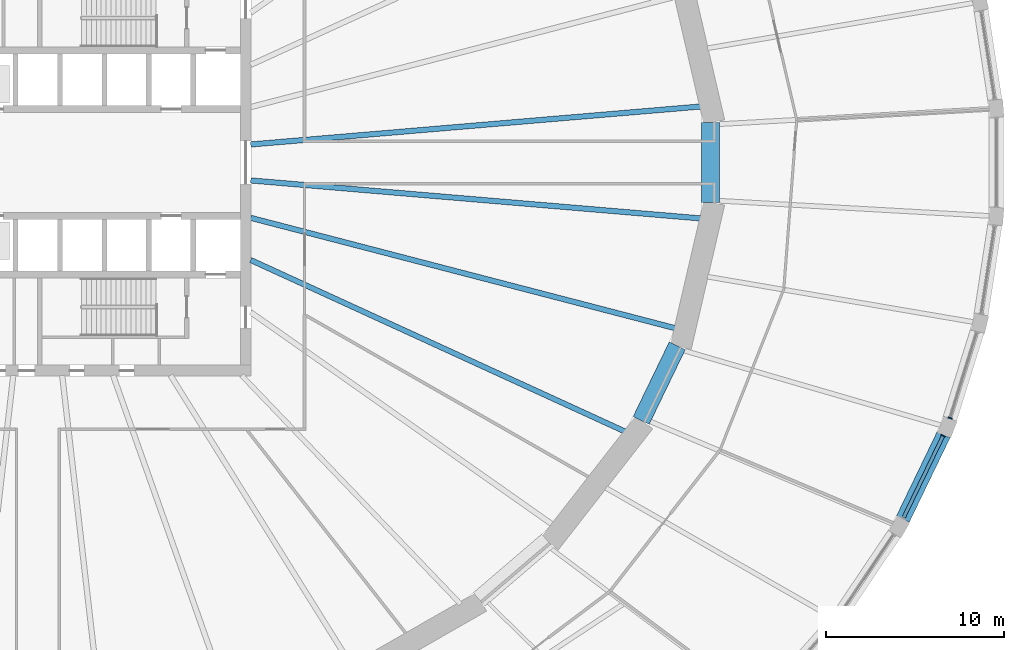
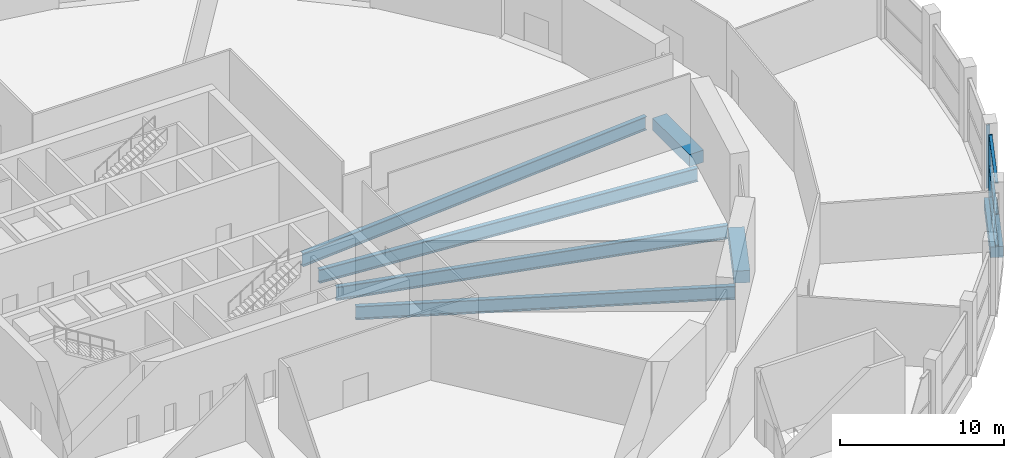
# One storey, part 9 of 26: 7 beams, 5 members, 2 elements without a shape of their own.
"""IFC4 building model written with IfcOpenShell, lengths in metres."""

from ifc_helpers import new_model, si_unit, direction, frame, origin, origin_2d, place, context, subcontext, project, spatial, rectangle, i_section, extrude, material, material_profile, profile_set, type_object, element, aggregate, save


model = new_model("IFC4")

# Units and contexts
model_context = context("Model", 3, precision=1e-05, world=origin(), true_north=direction((0.0, 1.0)))
body_context = subcontext(model_context, "Body", "Model", "MODEL_VIEW")
ifc_project = project(units=[si_unit("LENGTHUNIT", "METRE"), si_unit("AREAUNIT", "SQUARE_METRE"), si_unit("VOLUMEUNIT", "CUBIC_METRE"), si_unit("PLANEANGLEUNIT", "RADIAN"), si_unit("MASSUNIT", "GRAM", prefix="KILO")], contexts=[model_context])

# Site, building, storey
site_placement = place(None, origin())
site = spatial("IfcSite", under=ifc_project, at=site_placement, CompositionType="ELEMENT")
building_placement = place(site_placement, origin())
building = spatial("IfcBuilding", under=site, at=building_placement, Name="Halqa Exchange Tower", CompositionType="ELEMENT")
storey_placement = place(building_placement, frame((0.0, 0.0, 18.0)))
storey = spatial("IfcBuildingStorey", under=building, at=storey_placement, Name="L03", CompositionType="ELEMENT", Elevation=18.0)

# Curtain wall, member
ifc_material_1 = material(Name="Anodised aluminium and clear glass", Category="aluminium")
curtain_wall_type = type_object("IfcCurtainWallType", Name="Exchange hall glazing", PredefinedType="NOTDEFINED", material=ifc_material_1)
curtain_wall_1_placement = place(storey_placement, origin())
curtain_wall_1 = element("IfcCurtainWall", 1, at=curtain_wall_1_placement, inside=storey, type_object=curtain_wall_type, Name="Exchange hall glazing run P45", PredefinedType="NOTDEFINED")
ifc_material_2 = material(Name="Anodised aluminium", Category="aluminium")
ifc_material_profile_1 = material_profile(ifc_material_2, rectangle(XDim=0.25, YDim=0.070068359375, at=origin_2d()), Name="AL 70x250")
ifc_profile_set_1 = profile_set([ifc_material_profile_1], Name="Anodised aluminium")
member_type_1 = type_object("IfcMemberType", Name="Exchange hall glazing mullion 70 x 250", PredefinedType="MULLION", material=ifc_profile_set_1)
member_1_placement = place(storey_placement, frame((50.9013671875, -15.3642578125, 0.0), z_axis=(0.0, 0.0, 1.0), x_axis=(-0.90043534892, 0.434989864727, 0.0)))
member_1 = element("IfcMember", 2, at=member_1_placement, type_object=member_type_1, Name="P45 mullion 2", PredefinedType="MULLION", context=body_context, shape_type="SweptSolid", body=[
    extrude(rectangle(XDim=0.25, YDim=0.070068359375, at=origin_2d()), origin(), (0.0, 0.0, 1.0), 4.699951171875),
])

curtain_wall_2_placement = place(storey_placement, origin())
curtain_wall_2 = element("IfcCurtainWall", 3, at=curtain_wall_2_placement, inside=storey, type_object=curtain_wall_type, Name="Exchange hall glazing run P46", PredefinedType="NOTDEFINED")
member_2_placement = place(storey_placement, frame((51.293701171875, -14.3720703125, 0.0), z_axis=(0.0, 0.0, 1.0), x_axis=(-0.95447130463, 0.298302746613, 0.0)))
member_2 = element("IfcMember", 4, at=member_2_placement, type_object=member_type_1, Name="P46 mullion 1", PredefinedType="MULLION", context=body_context, shape_type="SweptSolid", body=[
    extrude(rectangle(XDim=0.25, YDim=0.070068359375, at=origin_2d()), origin(), (0.0, 0.0, 1.0), 4.699951171875),
])
aggregate(curtain_wall_2, [member_2])

# Member
ifc_material_profile_2 = material_profile(ifc_material_2, rectangle(XDim=0.199951171875, YDim=0.070068359375, at=origin_2d()), Name="AL 70x200")
ifc_profile_set_2 = profile_set([ifc_material_profile_2], Name="Anodised aluminium")
member_type_2 = type_object("IfcMemberType", Name="Exchange hall glazing transom 70 x 200", PredefinedType="USERDEFINED", material=ifc_profile_set_2)
member_3_placement = place(storey_placement, frame((48.678955078125, -19.96484375, 0.034912109375), z_axis=(0.434989893806, 0.900435334872, 0.0), x_axis=(-0.900435334872, 0.434989893806, 0.0)))
member_3 = element("IfcMember", 5, at=member_3_placement, type_object=member_type_2, Name="P45 transom 1.1", ObjectType="TRANSOM", PredefinedType="USERDEFINED", context=body_context, shape_type="SweptSolid", body=[
    extrude(rectangle(XDim=0.199951171875, YDim=0.070068359375, at=origin_2d()), origin(), (0.0, 0.0, 1.0), 5.07421875),
])

member_4_placement = place(storey_placement, frame((48.678955078125, -19.96484375, 2.35009765625), z_axis=(0.434989893806, 0.900435334872, 0.0), x_axis=(-0.900435334872, 0.434989893806, 0.0)))
member_4 = element("IfcMember", 6, at=member_4_placement, type_object=member_type_2, Name="P45 transom 1.2", ObjectType="TRANSOM", PredefinedType="USERDEFINED", context=body_context, shape_type="SweptSolid", body=[
    extrude(rectangle(XDim=0.199951171875, YDim=0.070068359375, at=origin_2d()), origin(), (0.0, 0.0, 1.0), 5.07421875),
])

member_5_placement = place(storey_placement, frame((48.678955078125, -19.96484375, 4.6650390625), z_axis=(0.434989893806, 0.900435334872, 0.0), x_axis=(-0.900435334872, 0.434989893806, 0.0)))
member_5 = element("IfcMember", 7, at=member_5_placement, type_object=member_type_2, Name="P45 transom 1.3", ObjectType="TRANSOM", PredefinedType="USERDEFINED", context=body_context, shape_type="SweptSolid", body=[
    extrude(rectangle(XDim=0.199951171875, YDim=0.070068359375, at=origin_2d()), origin(), (0.0, 0.0, 1.0), 5.07421875),
])

aggregate(curtain_wall_1, [member_1, member_3, member_4, member_5])

# Beams
ifc_material_3 = material(Name="Steel S355", Category="steel")
ifc_material_profile_3 = material_profile(ifc_material_3, i_section(OverallWidth=0.300048828125, OverallDepth=1.0, WebThickness=0.01904296875, FlangeThickness=0.035888671875, FilletRadius=0.030029296875, at=origin_2d()), Name="HEB 1000")
ifc_profile_set_3 = profile_set([ifc_material_profile_3], Name="Steel S355")
beam_type_1 = type_object("IfcBeamType", Name="Floor beam HEB 1000", PredefinedType="BEAM", material=ifc_profile_set_3)
beam_1_placement = place(storey_placement, frame((11.972412109375, -5.485107421875, -0.85009765625), z_axis=(0.909128229117, -0.416516341843, 0.0), x_axis=(0.416516341843, 0.909128229117, 0.0)))
element("IfcBeam", 8, at=beam_1_placement, inside=storey, type_object=beam_type_1, Name="Radial beam 30", PredefinedType="BEAM", context=body_context, shape_type="SweptSolid", body=[
    extrude(i_section(OverallWidth=0.300048828125, OverallDepth=1.0, WebThickness=0.01904296875, FlangeThickness=0.035888671875, FilletRadius=0.030029296875, at=origin_2d()), origin(), (0.0, 0.0, 1.0), 23.209228515625),
])
ifc_material_profile_4 = material_profile(ifc_material_3, i_section(OverallWidth=0.302001953125, OverallDepth=1.008056640625, WebThickness=0.02099609375, FlangeThickness=0.0400390625, FilletRadius=0.030029296875, at=origin_2d()), Name="HEM 1000")
ifc_profile_set_4 = profile_set([ifc_material_profile_4], Name="Steel S355")
beam_type_2 = type_object("IfcBeamType", Name="Floor beam HEM 1000", PredefinedType="BEAM", material=ifc_profile_set_4)
beam_2_placement = place(storey_placement, frame((11.972412109375, 1.0107421875, -0.85400390625), z_axis=(0.996455167327, 0.084125498561, 0.0), x_axis=(-0.084125498561, 0.996455167327, 0.0)))
element("IfcBeam", 9, at=beam_2_placement, inside=storey, type_object=beam_type_2, Name="Radial beam 1", PredefinedType="BEAM", context=body_context, shape_type="SweptSolid", body=[
    extrude(i_section(OverallWidth=0.302001953125, OverallDepth=1.008056640625, WebThickness=0.02099609375, FlangeThickness=0.0400390625, FilletRadius=0.030029296875, at=origin_2d()), origin(), (0.0, 0.0, 1.0), 25.460205078125),
])
beam_3_placement = place(storey_placement, frame((11.971435546875, -3.11279296875, -0.85400390625), z_axis=(0.967821064299, -0.251639399735, 0.0), x_axis=(0.251639399735, 0.967821064299, 0.0)))
element("IfcBeam", 10, at=beam_3_placement, inside=storey, type_object=beam_type_2, Name="Radial beam 31", PredefinedType="BEAM", context=body_context, shape_type="SweptSolid", body=[
    extrude(i_section(OverallWidth=0.302001953125, OverallDepth=1.008056640625, WebThickness=0.02099609375, FlangeThickness=0.0400390625, FilletRadius=0.030029296875, at=origin_2d()), origin(), (0.0, 0.0, 1.0), 24.7314453125),
])
beam_4_placement = place(storey_placement, frame((11.972412109375, -1.0107421875, -0.85400390625), z_axis=(0.996455167327, -0.084125498561, 0.0), x_axis=(0.084125498561, 0.996455167327, 0.0)))
element("IfcBeam", 11, at=beam_4_placement, inside=storey, type_object=beam_type_2, Name="Radial beam 32", PredefinedType="BEAM", context=body_context, shape_type="SweptSolid", body=[
    extrude(i_section(OverallWidth=0.302001953125, OverallDepth=1.008056640625, WebThickness=0.02099609375, FlangeThickness=0.0400390625, FilletRadius=0.030029296875, at=origin_2d()), origin(), (0.0, 0.0, 1.0), 25.460205078125),
])
ifc_material_4 = material(Name="Concrete C60/75", Category="concrete")
ifc_material_profile_5 = material_profile(ifc_material_4, rectangle(XDim=0.800048828125, YDim=0.800048828125, at=origin_2d()), Name="800 x 800")
ifc_profile_set_5 = profile_set([ifc_material_profile_5], Name="Concrete C60/75")
beam_type_3 = type_object("IfcBeamType", Name="RC podium edge beam 800 x 800 C60/75", PredefinedType="SPANDREL", material=ifc_profile_set_5)
beam_5_placement = place(storey_placement, frame((48.636962890625, -20.052001953125, -0.39990234375), z_axis=(0.43497328232, 0.9004433595, 0.0), x_axis=(-0.9004433595, 0.43497328232, 0.0)))
element("IfcBeam", 12, at=beam_5_placement, inside=storey, type_object=beam_type_3, Name="Podium edge beam 45", PredefinedType="SPANDREL", context=body_context, shape_type="SweptSolid", body=[
    extrude(rectangle(XDim=0.800048828125, YDim=0.800048828125, at=origin_2d()), origin(), (0.0, 0.0, 1.0), 5.267578125),
])
ifc_material_profile_6 = material_profile(ifc_material_4, rectangle(XDim=1.0, YDim=0.89990234375, at=origin_2d()), Name="1000 x 900")
ifc_profile_set_6 = profile_set([ifc_material_profile_6], Name="Concrete C60/75")
beam_type_4 = type_object("IfcBeamType", Name="RC spandrel beam 1000 x 900 C60/75", PredefinedType="SPANDREL", material=ifc_profile_set_6)
beam_6_placement = place(storey_placement, frame((33.923095703125, -14.505615234375, -0.449951171875), z_axis=(0.435068215878, 0.900397494184, 0.0), x_axis=(-0.900397494184, 0.435068215878, 0.0)))
element("IfcBeam", 13, at=beam_6_placement, inside=storey, type_object=beam_type_4, Name="Spandrel 30", PredefinedType="SPANDREL", context=body_context, shape_type="SweptSolid", body=[
    extrude(rectangle(XDim=1.0, YDim=0.89990234375, at=origin_2d()), origin(), (0.0, 0.0, 1.0), 4.6630859375),
])
beam_7_placement = place(storey_placement, frame((37.81689453125, -2.24609375, -0.449951171875), z_axis=(0.0, 1.0, 0.0), x_axis=(-1.0, 0.0, 0.0)))
element("IfcBeam", 14, at=beam_7_placement, inside=storey, type_object=beam_type_4, Name="Spandrel 32", PredefinedType="SPANDREL", context=body_context, shape_type="SweptSolid", body=[
    extrude(rectangle(XDim=1.0, YDim=0.89990234375, at=origin_2d()), origin(), (0.0, 0.0, 1.0), 4.4921875),
])

save(model, "model.ifc")
